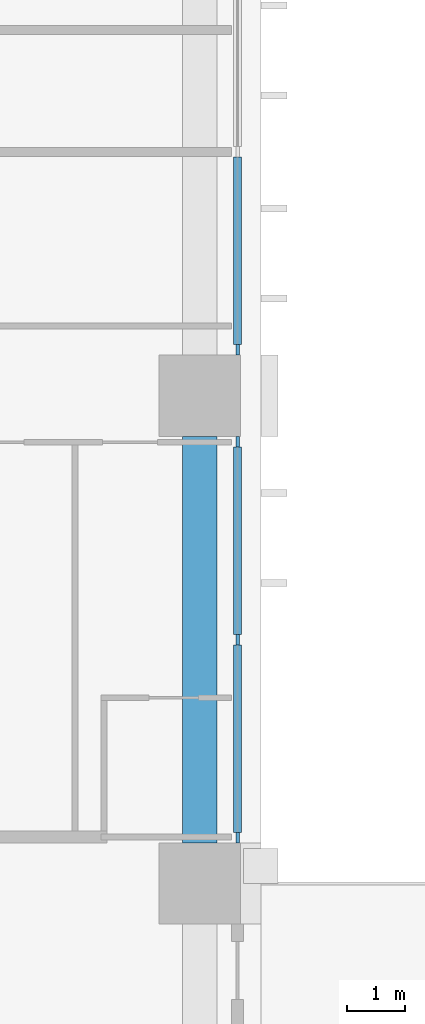
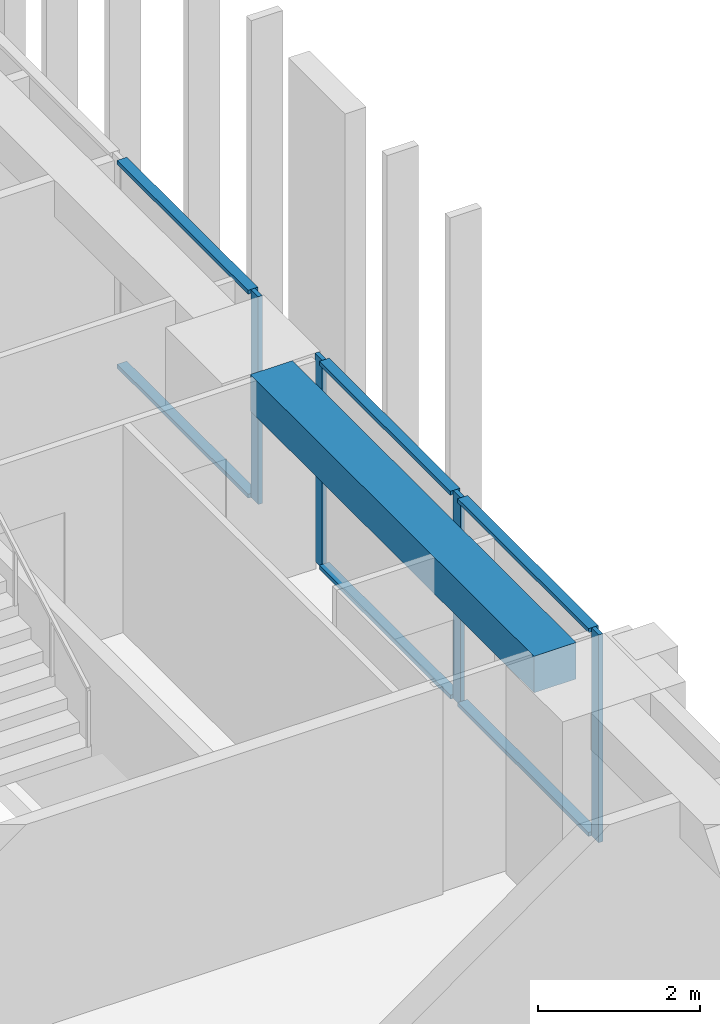
# One storey, part 4 of 19: 10 members, 1 beam, 2 elements without a shape of their own.
"""IFC4 building model written with IfcOpenShell, lengths in metres."""

import ifcopenshell
import ifcopenshell.guid

model = None  # the IFC model being written
_history = None  # IfcOwnerHistory: only IFC2X3 demands one
_inside = {}  # id of a spatial element -> (the spatial element, [elements in it])
_under = {}  # id of a project, library or spatial element -> (it, [spatial elements below it])
_declared = {}  # id of a project -> (the project, [libraries it declares])
_typed = {}  # id of a type object -> (the type object, [elements of that type])
_made_of = {}  # id of a material, layer set ... -> (it, [elements and type objects made of it])


def new_model(schema):
    """Start an empty IFC model of exactly this schema.

    Asked for "IFC4X3", IfcOpenShell would pick the latest addendum, in which some entities
    have other attributes; the version numbers below select the first issue.
    IFC2X3 requires an IfcOwnerHistory on every rooted entity: one is made here for all.
    """
    global model, _history
    if schema == "IFC4X3":
        model = ifcopenshell.file(schema_version=(4, 3, 0, 0))
    else:
        model = ifcopenshell.file(schema=schema)
    _inside.clear()
    _under.clear()
    _declared.clear()
    _typed.clear()
    _made_of.clear()
    _history = None
    if model.schema == "IFC2X3":
        org = make("IfcOrganization", Name="unknown")
        user = make(
            "IfcPersonAndOrganization",
            ThePerson=make("IfcPerson", FamilyName="unknown"),
            TheOrganization=org,
        )
        app = make(
            "IfcApplication",
            ApplicationDeveloper=org,
            Version="unknown",
            ApplicationFullName="unknown",
            ApplicationIdentifier="unknown",
        )
        _history = make(
            "IfcOwnerHistory",
            OwningUser=user,
            OwningApplication=app,
            ChangeAction="ADDED",
            CreationDate=0,
        )
    return model


def make(cls, **values):
    """One entity of the class cls with the attributes given. An attribute that is None is left unset."""
    return model.create_entity(
        cls, **{name: value for name, value in values.items() if value is not None}
    )


def rooted(cls, **values):
    """An entity with a GlobalId (a new one), such as an element, a storey or a relation."""
    return make(cls, GlobalId=ifcopenshell.guid.new(), OwnerHistory=_history, **values)


def si_unit(unit_type, name, prefix=None):
    """IfcSIUnit, for example si_unit("LENGTHUNIT", "METRE", prefix="MILLI")."""
    return make("IfcSIUnit", UnitType=unit_type, Prefix=prefix, Name=name)


def assignment(units):
    """IfcUnitAssignment: the units of a project."""
    return None if units is None else make("IfcUnitAssignment", Units=units)


def point(xyz):
    """IfcCartesianPoint."""
    return None if xyz is None else make("IfcCartesianPoint", Coordinates=xyz)


def direction(xyz):
    """IfcDirection."""
    return None if xyz is None else make("IfcDirection", DirectionRatios=xyz)


def frame(location, z_axis=None, x_axis=None):
    """IfcAxis2Placement3D, a coordinate frame: its origin and axes. An axis left out is left unset."""
    return make(
        "IfcAxis2Placement3D",
        Location=point(location),
        Axis=direction(z_axis),
        RefDirection=direction(x_axis),
    )


def frame_2d(location, x_axis=None):
    """IfcAxis2Placement2D, a coordinate frame in the plane: its origin and x axis."""
    return make(
        "IfcAxis2Placement2D", Location=point(location), RefDirection=direction(x_axis)
    )


def origin():
    """The frame at (0, 0, 0) with its axes left unset."""
    return frame((0.0, 0.0, 0.0))


def origin_2d():
    """The frame at (0, 0) in the plane with its x axis left unset."""
    return frame_2d((0.0, 0.0))


def place(relative_to, where):
    """IfcLocalPlacement: puts the frame where relative to a parent placement (None: the world)."""
    return make(
        "IfcLocalPlacement", PlacementRelTo=relative_to, RelativePlacement=where
    )


def context(
    kind, dimensions, precision=None, world=None, true_north=None, identifier=None
):
    """IfcGeometricRepresentationContext, for example the 3D "Model" context."""
    return make(
        "IfcGeometricRepresentationContext",
        ContextIdentifier=identifier,
        ContextType=kind,
        CoordinateSpaceDimension=dimensions,
        Precision=precision,
        WorldCoordinateSystem=world,
        TrueNorth=true_north,
    )


def subcontext(parent, identifier, kind, view, scale=None):
    """IfcGeometricRepresentationSubContext, for example "Body" below "Model"."""
    return make(
        "IfcGeometricRepresentationSubContext",
        ContextIdentifier=identifier,
        ContextType=kind,
        ParentContext=parent,
        TargetScale=scale,
        TargetView=view,
    )


def project(units=None, contexts=None):
    """IfcProject with its units and contexts."""
    return rooted(
        "IfcProject",
        Name="project",
        RepresentationContexts=contexts,
        UnitsInContext=assignment(units),
    )


def spatial(cls, under=None, at=None, **own):
    """A site, building, storey or space (cls), placed at a placement, below another one or the project."""
    s = rooted(cls, ObjectPlacement=at, **own)
    if under is not None:
        _under.setdefault(under.id(), (under, []))[1].append(s)
    return s


def profile(cls, at=None, kind="AREA", **sizes):
    """A parametric profile (cls). Its sizes go by their IFC names, for example OverallWidth=200.0."""
    return make(cls, ProfileType=kind, Position=at, **sizes)


def rectangle(**sizes):
    """IfcRectangleProfileDef."""
    return profile("IfcRectangleProfileDef", **sizes)


def extrude(swept, where, along, depth):
    """IfcExtrudedAreaSolid: the profile swept, set in the frame where, extruded along a direction by depth."""
    return make(
        "IfcExtrudedAreaSolid",
        SweptArea=swept,
        Position=where,
        ExtrudedDirection=direction(along),
        Depth=depth,
    )


def shape(context_of_items, identifier, shape_type, items):
    """IfcShapeRepresentation: the items that make up one representation, for example the "Body"."""
    return make(
        "IfcShapeRepresentation",
        ContextOfItems=context_of_items,
        RepresentationIdentifier=identifier,
        RepresentationType=shape_type,
        Items=items,
    )


def material(Name=None, Category=None):
    """IfcMaterial."""
    return make("IfcMaterial", Name=Name, Category=Category)


def material_profile(
    of_material, cross_section, Name=None, Category=None, Priority=None
):
    """IfcMaterialProfile: a cross section and its material."""
    return make(
        "IfcMaterialProfile",
        Name=Name,
        Material=of_material,
        Profile=cross_section,
        Priority=Priority,
        Category=Category,
    )


def profile_set(profiles, Name=None, composite=None):
    """IfcMaterialProfileSet."""
    return make(
        "IfcMaterialProfileSet",
        Name=Name,
        MaterialProfiles=profiles,
        CompositeProfile=composite,
    )


def made_of(thing, what):
    """Note that an element or type object is made of a material, layer set ...; save() writes the relation."""
    if what is not None:
        _made_of.setdefault(what.id(), (what, []))[1].append(thing)
    return thing


def type_object(cls, material=None, **own):
    """A type object (cls), such as IfcWallType, which elements share."""
    return made_of(rooted(cls, **own), material)


def element(
    cls,
    number,
    at=None,
    inside=None,
    cuts=None,
    type_object=None,
    material=None,
    context=None,
    identifier="Body",
    shape_type=None,
    held_by="IfcProductDefinitionShape",
    body=None,
    shapes=None,
    **own,
):
    """One element of the class cls, such as IfcWall. Its Tag is "e" and its number.

    at: its placement. inside: the storey or other place that contains it. cuts: it is an
    opening in that element (IfcRelVoidsElement). A single representation is given by context,
    identifier, shape_type and body (its items); several are given by shapes. held_by: the class
    of the entity that holds the representations. save() writes the other relations.
    """
    e = rooted(cls, Tag="e%d" % number, ObjectPlacement=at, **own)
    if body is not None:
        shapes = [shape(context, identifier, shape_type, body)]
    if shapes is not None:
        e.Representation = make(held_by, Representations=shapes)
    if inside is not None:
        _inside.setdefault(inside.id(), (inside, []))[1].append(e)
    if cuts is not None:
        rooted(
            "IfcRelVoidsElement", RelatingBuildingElement=cuts, RelatedOpeningElement=e
        )
    if type_object is not None:
        _typed.setdefault(type_object.id(), (type_object, []))[1].append(e)
    return made_of(e, material)


def aggregate(whole, parts):
    """IfcRelAggregates: a whole, such as a stair, and the parts it consists of."""
    return rooted("IfcRelAggregates", RelatingObject=whole, RelatedObjects=parts)


def save(model, path):
    """Write the relations noted so far, then the file.

    IfcRelAggregates (storeys below a building ...), IfcRelContainedInSpatialStructure (elements
    in a storey), IfcRelDefinesByType, IfcRelAssociatesMaterial and IfcRelDeclares: one each for
    every whole, place, type object, material and project.
    """
    for whole, parts in _under.values():
        aggregate(whole, parts)
    for where, things in _inside.values():
        rooted(
            "IfcRelContainedInSpatialStructure",
            RelatedElements=things,
            RelatingStructure=where,
        )
    for kind, things in _typed.values():
        rooted("IfcRelDefinesByType", RelatedObjects=things, RelatingType=kind)
    for what, things in _made_of.values():
        rooted("IfcRelAssociatesMaterial", RelatedObjects=things, RelatingMaterial=what)
    for by, libraries in _declared.values():
        rooted("IfcRelDeclares", RelatingContext=by, RelatedDefinitions=libraries)
    model.write(path)


model = new_model("IFC4")

# Units and contexts
model_context = context("Model", 3, precision=1e-05, world=origin(), true_north=direction((0.0, 1.0)))
body_context = subcontext(model_context, "Body", "Model", "MODEL_VIEW")
ifc_project = project(units=[si_unit("LENGTHUNIT", "METRE"), si_unit("AREAUNIT", "SQUARE_METRE"), si_unit("VOLUMEUNIT", "CUBIC_METRE"), si_unit("PLANEANGLEUNIT", "RADIAN"), si_unit("MASSUNIT", "GRAM", prefix="KILO")], contexts=[model_context])

# Site, building, storey
site_placement = place(None, origin())
site = spatial("IfcSite", under=ifc_project, at=site_placement, CompositionType="ELEMENT")
building_placement = place(site_placement, origin())
building = spatial("IfcBuilding", under=site, at=building_placement, Name="Vermilion Ogive Tower", CompositionType="ELEMENT")
storey_placement = place(building_placement, frame((0.0, 0.0, 62.10009765625)))
storey = spatial("IfcBuildingStorey", under=building, at=storey_placement, Name="L14", CompositionType="ELEMENT", Elevation=62.10009765625)

# Curtain wall, members
ifc_material_1 = material(Name="Low-iron laminated glazing in aluminium frame", Category="aluminium")
curtain_wall_type = type_object("IfcCurtainWallType", Name="Curtain wall CW7", PredefinedType="NOTDEFINED", material=ifc_material_1)
curtain_wall_1_placement = place(storey_placement, origin())
curtain_wall_1 = element("IfcCurtainWall", 1, at=curtain_wall_1_placement, inside=storey, type_object=curtain_wall_type, Name="Glazed skin E2", PredefinedType="NOTDEFINED")
ifc_material_2 = material(Name="Aluminium mullion", Category="aluminium")
ifc_material_profile_1 = material_profile(ifc_material_2, rectangle(XDim=0.06005859375, YDim=0.179931640625, at=origin_2d()), Name="AL 60x180")
ifc_profile_set_1 = profile_set([ifc_material_profile_1], Name="Aluminium mullion")
member_type_1 = type_object("IfcMemberType", Name="CW7 mullion 60x180", PredefinedType="MULLION", material=ifc_profile_set_1)
member_1_placement = place(storey_placement, frame((25.85009765625, -3.409912109375, 0.0), z_axis=(0.0, 0.0, 1.0), x_axis=(-1.0, 0.0, 0.0)))
member_1 = element("IfcMember", 2, at=member_1_placement, type_object=member_type_1, Name="CW7-E2 mullion 1", PredefinedType="MULLION", context=body_context, shape_type="SweptSolid", body=[
    extrude(rectangle(XDim=0.06005859375, YDim=0.179931640625, at=origin_2d()), origin(), (0.0, 0.0, 1.0), 3.1298828125),
])
member_2_placement = place(storey_placement, frame((25.85009765625, 0.0, 0.0), z_axis=(0.0, 0.0, 1.0), x_axis=(-1.0, 0.0, 0.0)))
member_2 = element("IfcMember", 3, at=member_2_placement, type_object=member_type_1, Name="CW7-E2 mullion 2", PredefinedType="MULLION", context=body_context, shape_type="SweptSolid", body=[
    extrude(rectangle(XDim=0.06005859375, YDim=0.179931640625, at=origin_2d()), origin(), (0.0, 0.0, 1.0), 3.1298828125),
])
member_3_placement = place(storey_placement, frame((25.85009765625, 3.409912109375, 0.0), z_axis=(0.0, 0.0, 1.0), x_axis=(-1.0, 0.0, 0.0)))
member_3 = element("IfcMember", 4, at=member_3_placement, type_object=member_type_1, Name="CW7-E2 mullion 3", PredefinedType="MULLION", context=body_context, shape_type="SweptSolid", body=[
    extrude(rectangle(XDim=0.06005859375, YDim=0.179931640625, at=origin_2d()), origin(), (0.0, 0.0, 1.0), 3.1298828125),
])

# Curtain wall, member
curtain_wall_2_placement = place(storey_placement, origin())
curtain_wall_2 = element("IfcCurtainWall", 5, at=curtain_wall_2_placement, inside=storey, type_object=curtain_wall_type, Name="Glazed skin E3", PredefinedType="NOTDEFINED")
member_4_placement = place(storey_placement, frame((25.85009765625, 4.989990234375, 0.0), z_axis=(0.0, 0.0, 1.0), x_axis=(-1.0, 0.0, 0.0)))
member_4 = element("IfcMember", 6, at=member_4_placement, type_object=member_type_1, Name="CW7-E3 mullion 1", PredefinedType="MULLION", context=body_context, shape_type="SweptSolid", body=[
    extrude(rectangle(XDim=0.06005859375, YDim=0.179931640625, at=origin_2d()), origin(), (0.0, 0.0, 1.0), 3.1298828125),
])

# Member
ifc_material_3 = material(Name="Aluminium transom", Category="aluminium")
ifc_material_profile_2 = material_profile(ifc_material_3, rectangle(XDim=0.139892578125, YDim=0.06005859375, at=origin_2d()), Name="AL 60x140")
ifc_profile_set_2 = profile_set([ifc_material_profile_2], Name="Aluminium transom")
member_type_2 = type_object("IfcMemberType", Name="CW7 transom 60x140", PredefinedType="USERDEFINED", material=ifc_profile_set_2)
member_5_placement = place(storey_placement, frame((25.85009765625, -3.320068359375, 0.02978515625), z_axis=(0.0, 1.0, 0.0), x_axis=(-1.0, 0.0, 0.0)))
member_5 = element("IfcMember", 7, at=member_5_placement, type_object=member_type_2, Name="CW7-E2 transom 1.1", ObjectType="TRANSOM", PredefinedType="USERDEFINED", context=body_context, shape_type="SweptSolid", body=[
    extrude(rectangle(XDim=0.139892578125, YDim=0.06005859375, at=origin_2d()), origin(), (0.0, 0.0, 1.0), 3.22998046875),
])

member_6_placement = place(storey_placement, frame((25.85009765625, -3.320068359375, 3.099853515625), z_axis=(0.0, 1.0, 0.0), x_axis=(-1.0, 0.0, 0.0)))
member_6 = element("IfcMember", 8, at=member_6_placement, type_object=member_type_2, Name="CW7-E2 transom 1.2", ObjectType="TRANSOM", PredefinedType="USERDEFINED", context=body_context, shape_type="SweptSolid", body=[
    extrude(rectangle(XDim=0.139892578125, YDim=0.06005859375, at=origin_2d()), origin(), (0.0, 0.0, 1.0), 3.22998046875),
])

member_7_placement = place(storey_placement, frame((25.85009765625, 0.090087890625, 0.02978515625), z_axis=(0.0, 1.0, 0.0), x_axis=(-1.0, 0.0, 0.0)))
member_7 = element("IfcMember", 9, at=member_7_placement, type_object=member_type_2, Name="CW7-E2 transom 2.1", ObjectType="TRANSOM", PredefinedType="USERDEFINED", context=body_context, shape_type="SweptSolid", body=[
    extrude(rectangle(XDim=0.139892578125, YDim=0.06005859375, at=origin_2d()), origin(), (0.0, 0.0, 1.0), 3.22998046875),
])

member_8_placement = place(storey_placement, frame((25.85009765625, 0.090087890625, 3.099853515625), z_axis=(0.0, 1.0, 0.0), x_axis=(-1.0, 0.0, 0.0)))
member_8 = element("IfcMember", 10, at=member_8_placement, type_object=member_type_2, Name="CW7-E2 transom 2.2", ObjectType="TRANSOM", PredefinedType="USERDEFINED", context=body_context, shape_type="SweptSolid", body=[
    extrude(rectangle(XDim=0.139892578125, YDim=0.06005859375, at=origin_2d()), origin(), (0.0, 0.0, 1.0), 3.22998046875),
])

aggregate(curtain_wall_1, [member_1, member_2, member_3, member_5, member_6, member_7, member_8])

member_9_placement = place(storey_placement, frame((25.85009765625, 5.080078125, 0.02978515625), z_axis=(0.0, 1.0, 0.0), x_axis=(-1.0, 0.0, 0.0)))
member_9 = element("IfcMember", 11, at=member_9_placement, type_object=member_type_2, Name="CW7-E3 transom 1.1", ObjectType="TRANSOM", PredefinedType="USERDEFINED", context=body_context, shape_type="SweptSolid", body=[
    extrude(rectangle(XDim=0.139892578125, YDim=0.06005859375, at=origin_2d()), origin(), (0.0, 0.0, 1.0), 3.22998046875),
])

member_10_placement = place(storey_placement, frame((25.85009765625, 5.080078125, 3.099853515625), z_axis=(0.0, 1.0, 0.0), x_axis=(-1.0, 0.0, 0.0)))
member_10 = element("IfcMember", 12, at=member_10_placement, type_object=member_type_2, Name="CW7-E3 transom 1.2", ObjectType="TRANSOM", PredefinedType="USERDEFINED", context=body_context, shape_type="SweptSolid", body=[
    extrude(rectangle(XDim=0.139892578125, YDim=0.06005859375, at=origin_2d()), origin(), (0.0, 0.0, 1.0), 3.22998046875),
])

aggregate(curtain_wall_2, [member_4, member_9, member_10])

# Beam
ifc_material_4 = material(Name="Concrete B45", Category="concrete")
ifc_material_profile_3 = material_profile(ifc_material_4, rectangle(XDim=0.60009765625, YDim=0.550048828125, at=origin_2d()), Name="600 x 550")
ifc_profile_set_3 = profile_set([ifc_material_profile_3], Name="Concrete B45")
beam_type = type_object("IfcBeamType", Name="Edge beam 600 x 550 B45", PredefinedType="BEAM", material=ifc_profile_set_3)
beam_placement = place(storey_placement, frame((25.199951171875, -3.5, 2.85498046875), z_axis=(0.0, 1.0, 0.0), x_axis=(-1.0, 0.0, 0.0)))
element("IfcBeam", 13, at=beam_placement, inside=storey, type_object=beam_type, Name="L14-EB-8", PredefinedType="BEAM", context=body_context, shape_type="SweptSolid", body=[
    extrude(rectangle(XDim=0.60009765625, YDim=0.550048828125, at=origin_2d()), origin(), (0.0, 0.0, 1.0), 7.0),
])

save(model, "model.ifc")
